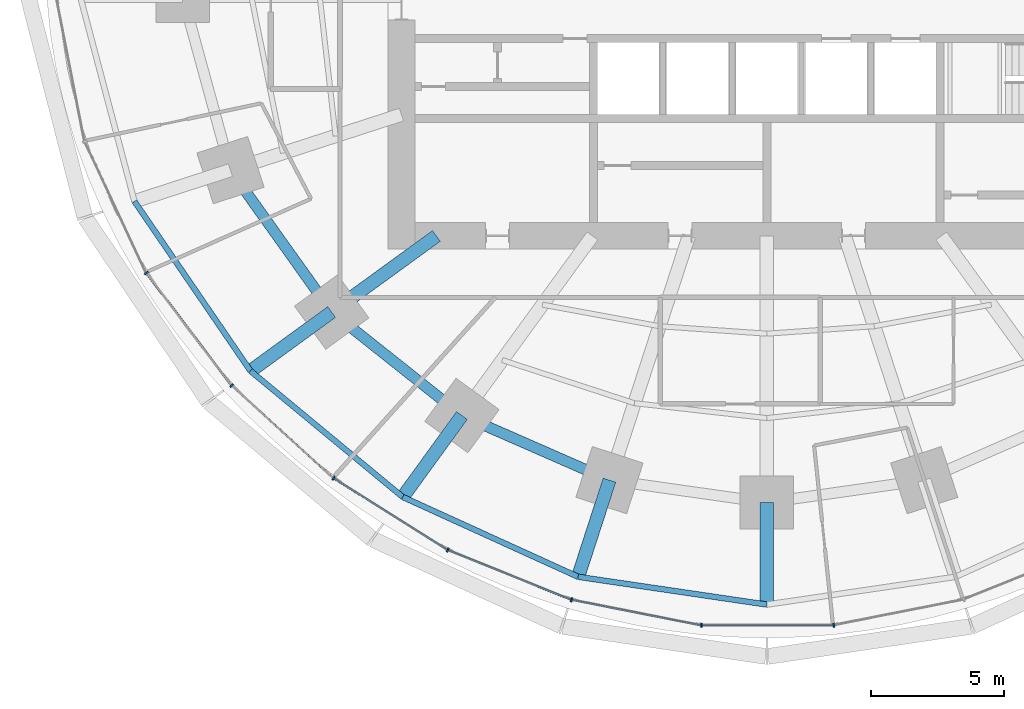
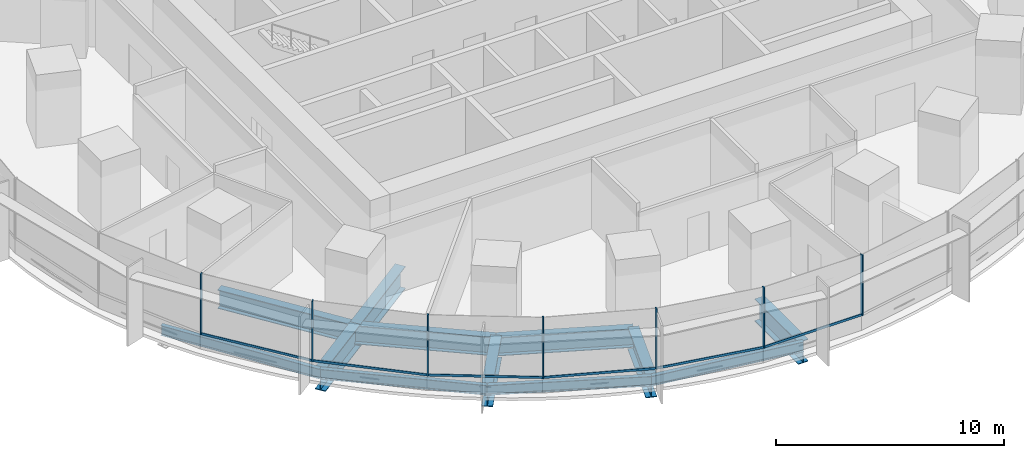
# One storey, part 2 of 15: 13 members, 12 beams, 2 elements without a shape of their own.
"""IFC4 building model written with IfcOpenShell, lengths in metres."""

import ifcopenshell
import ifcopenshell.guid

model = None  # the IFC model being written
_history = None  # IfcOwnerHistory: only IFC2X3 demands one
_inside = {}  # id of a spatial element -> (the spatial element, [elements in it])
_under = {}  # id of a project, library or spatial element -> (it, [spatial elements below it])
_declared = {}  # id of a project -> (the project, [libraries it declares])
_typed = {}  # id of a type object -> (the type object, [elements of that type])
_made_of = {}  # id of a material, layer set ... -> (it, [elements and type objects made of it])


def new_model(schema):
    """Start an empty IFC model of exactly this schema.

    Asked for "IFC4X3", IfcOpenShell would pick the latest addendum, in which some entities
    have other attributes; the version numbers below select the first issue.
    IFC2X3 requires an IfcOwnerHistory on every rooted entity: one is made here for all.
    """
    global model, _history
    if schema == "IFC4X3":
        model = ifcopenshell.file(schema_version=(4, 3, 0, 0))
    else:
        model = ifcopenshell.file(schema=schema)
    _inside.clear()
    _under.clear()
    _declared.clear()
    _typed.clear()
    _made_of.clear()
    _history = None
    if model.schema == "IFC2X3":
        org = make("IfcOrganization", Name="unknown")
        user = make(
            "IfcPersonAndOrganization",
            ThePerson=make("IfcPerson", FamilyName="unknown"),
            TheOrganization=org,
        )
        app = make(
            "IfcApplication",
            ApplicationDeveloper=org,
            Version="unknown",
            ApplicationFullName="unknown",
            ApplicationIdentifier="unknown",
        )
        _history = make(
            "IfcOwnerHistory",
            OwningUser=user,
            OwningApplication=app,
            ChangeAction="ADDED",
            CreationDate=0,
        )
    return model


def make(cls, **values):
    """One entity of the class cls with the attributes given. An attribute that is None is left unset."""
    return model.create_entity(
        cls, **{name: value for name, value in values.items() if value is not None}
    )


def rooted(cls, **values):
    """An entity with a GlobalId (a new one), such as an element, a storey or a relation."""
    return make(cls, GlobalId=ifcopenshell.guid.new(), OwnerHistory=_history, **values)


def si_unit(unit_type, name, prefix=None):
    """IfcSIUnit, for example si_unit("LENGTHUNIT", "METRE", prefix="MILLI")."""
    return make("IfcSIUnit", UnitType=unit_type, Prefix=prefix, Name=name)


def assignment(units):
    """IfcUnitAssignment: the units of a project."""
    return None if units is None else make("IfcUnitAssignment", Units=units)


def point(xyz):
    """IfcCartesianPoint."""
    return None if xyz is None else make("IfcCartesianPoint", Coordinates=xyz)


def direction(xyz):
    """IfcDirection."""
    return None if xyz is None else make("IfcDirection", DirectionRatios=xyz)


def frame(location, z_axis=None, x_axis=None):
    """IfcAxis2Placement3D, a coordinate frame: its origin and axes. An axis left out is left unset."""
    return make(
        "IfcAxis2Placement3D",
        Location=point(location),
        Axis=direction(z_axis),
        RefDirection=direction(x_axis),
    )


def frame_2d(location, x_axis=None):
    """IfcAxis2Placement2D, a coordinate frame in the plane: its origin and x axis."""
    return make(
        "IfcAxis2Placement2D", Location=point(location), RefDirection=direction(x_axis)
    )


def origin():
    """The frame at (0, 0, 0) with its axes left unset."""
    return frame((0.0, 0.0, 0.0))


def origin_2d():
    """The frame at (0, 0) in the plane with its x axis left unset."""
    return frame_2d((0.0, 0.0))


def place(relative_to, where):
    """IfcLocalPlacement: puts the frame where relative to a parent placement (None: the world)."""
    return make(
        "IfcLocalPlacement", PlacementRelTo=relative_to, RelativePlacement=where
    )


def context(
    kind, dimensions, precision=None, world=None, true_north=None, identifier=None
):
    """IfcGeometricRepresentationContext, for example the 3D "Model" context."""
    return make(
        "IfcGeometricRepresentationContext",
        ContextIdentifier=identifier,
        ContextType=kind,
        CoordinateSpaceDimension=dimensions,
        Precision=precision,
        WorldCoordinateSystem=world,
        TrueNorth=true_north,
    )


def subcontext(parent, identifier, kind, view, scale=None):
    """IfcGeometricRepresentationSubContext, for example "Body" below "Model"."""
    return make(
        "IfcGeometricRepresentationSubContext",
        ContextIdentifier=identifier,
        ContextType=kind,
        ParentContext=parent,
        TargetScale=scale,
        TargetView=view,
    )


def project(units=None, contexts=None):
    """IfcProject with its units and contexts."""
    return rooted(
        "IfcProject",
        Name="project",
        RepresentationContexts=contexts,
        UnitsInContext=assignment(units),
    )


def spatial(cls, under=None, at=None, **own):
    """A site, building, storey or space (cls), placed at a placement, below another one or the project."""
    s = rooted(cls, ObjectPlacement=at, **own)
    if under is not None:
        _under.setdefault(under.id(), (under, []))[1].append(s)
    return s


def profile(cls, at=None, kind="AREA", **sizes):
    """A parametric profile (cls). Its sizes go by their IFC names, for example OverallWidth=200.0."""
    return make(cls, ProfileType=kind, Position=at, **sizes)


def rectangle(**sizes):
    """IfcRectangleProfileDef."""
    return profile("IfcRectangleProfileDef", **sizes)


def i_section(**sizes):
    """IfcIShapeProfileDef."""
    return profile("IfcIShapeProfileDef", **sizes)


def extrude(swept, where, along, depth):
    """IfcExtrudedAreaSolid: the profile swept, set in the frame where, extruded along a direction by depth."""
    return make(
        "IfcExtrudedAreaSolid",
        SweptArea=swept,
        Position=where,
        ExtrudedDirection=direction(along),
        Depth=depth,
    )


def shape(context_of_items, identifier, shape_type, items):
    """IfcShapeRepresentation: the items that make up one representation, for example the "Body"."""
    return make(
        "IfcShapeRepresentation",
        ContextOfItems=context_of_items,
        RepresentationIdentifier=identifier,
        RepresentationType=shape_type,
        Items=items,
    )


def material(Name=None, Category=None):
    """IfcMaterial."""
    return make("IfcMaterial", Name=Name, Category=Category)


def material_profile(
    of_material, cross_section, Name=None, Category=None, Priority=None
):
    """IfcMaterialProfile: a cross section and its material."""
    return make(
        "IfcMaterialProfile",
        Name=Name,
        Material=of_material,
        Profile=cross_section,
        Priority=Priority,
        Category=Category,
    )


def profile_set(profiles, Name=None, composite=None):
    """IfcMaterialProfileSet."""
    return make(
        "IfcMaterialProfileSet",
        Name=Name,
        MaterialProfiles=profiles,
        CompositeProfile=composite,
    )


def made_of(thing, what):
    """Note that an element or type object is made of a material, layer set ...; save() writes the relation."""
    if what is not None:
        _made_of.setdefault(what.id(), (what, []))[1].append(thing)
    return thing


def type_object(cls, material=None, **own):
    """A type object (cls), such as IfcWallType, which elements share."""
    return made_of(rooted(cls, **own), material)


def element(
    cls,
    number,
    at=None,
    inside=None,
    cuts=None,
    type_object=None,
    material=None,
    context=None,
    identifier="Body",
    shape_type=None,
    held_by="IfcProductDefinitionShape",
    body=None,
    shapes=None,
    **own,
):
    """One element of the class cls, such as IfcWall. Its Tag is "e" and its number.

    at: its placement. inside: the storey or other place that contains it. cuts: it is an
    opening in that element (IfcRelVoidsElement). A single representation is given by context,
    identifier, shape_type and body (its items); several are given by shapes. held_by: the class
    of the entity that holds the representations. save() writes the other relations.
    """
    e = rooted(cls, Tag="e%d" % number, ObjectPlacement=at, **own)
    if body is not None:
        shapes = [shape(context, identifier, shape_type, body)]
    if shapes is not None:
        e.Representation = make(held_by, Representations=shapes)
    if inside is not None:
        _inside.setdefault(inside.id(), (inside, []))[1].append(e)
    if cuts is not None:
        rooted(
            "IfcRelVoidsElement", RelatingBuildingElement=cuts, RelatedOpeningElement=e
        )
    if type_object is not None:
        _typed.setdefault(type_object.id(), (type_object, []))[1].append(e)
    return made_of(e, material)


def aggregate(whole, parts):
    """IfcRelAggregates: a whole, such as a stair, and the parts it consists of."""
    return rooted("IfcRelAggregates", RelatingObject=whole, RelatedObjects=parts)


def save(model, path):
    """Write the relations noted so far, then the file.

    IfcRelAggregates (storeys below a building ...), IfcRelContainedInSpatialStructure (elements
    in a storey), IfcRelDefinesByType, IfcRelAssociatesMaterial and IfcRelDeclares: one each for
    every whole, place, type object, material and project.
    """
    for whole, parts in _under.values():
        aggregate(whole, parts)
    for where, things in _inside.values():
        rooted(
            "IfcRelContainedInSpatialStructure",
            RelatedElements=things,
            RelatingStructure=where,
        )
    for kind, things in _typed.values():
        rooted("IfcRelDefinesByType", RelatedObjects=things, RelatingType=kind)
    for what, things in _made_of.values():
        rooted("IfcRelAssociatesMaterial", RelatedObjects=things, RelatingMaterial=what)
    for by, libraries in _declared.values():
        rooted("IfcRelDeclares", RelatingContext=by, RelatedDefinitions=libraries)
    model.write(path)


model = new_model("IFC4")

# Units and contexts
model_context = context("Model", 3, precision=1e-05, world=origin(), true_north=direction((0.0, 1.0)))
body_context = subcontext(model_context, "Body", "Model", "MODEL_VIEW")
ifc_project = project(units=[si_unit("LENGTHUNIT", "METRE"), si_unit("AREAUNIT", "SQUARE_METRE"), si_unit("VOLUMEUNIT", "CUBIC_METRE"), si_unit("PLANEANGLEUNIT", "RADIAN"), si_unit("MASSUNIT", "GRAM", prefix="KILO")], contexts=[model_context])

# Site, building, storey
site_placement = place(None, origin())
site = spatial("IfcSite", under=ifc_project, at=site_placement, CompositionType="ELEMENT")
building_placement = place(site_placement, origin())
building = spatial("IfcBuilding", under=site, at=building_placement, Name="Marramba Exchange Tower", CompositionType="ELEMENT")
storey_placement = place(building_placement, frame((0.0, 0.0, 65.800048828125)))
storey = spatial("IfcBuildingStorey", under=building, at=storey_placement, Name="L15", CompositionType="ELEMENT", Elevation=65.800048828125)

# Beams
ifc_material_1 = material(Name="Steel AS/NZS 3679.2 grade 300", Category="steel")
ifc_material_profile_1 = material_profile(ifc_material_1, i_section(OverallWidth=0.5, OverallDepth=1.199951171875, WebThickness=0.01611328125, FlangeThickness=0.0400390625, at=origin_2d()), Name="1200WB455")
ifc_profile_set_1 = profile_set([ifc_material_profile_1], Name="Steel AS/NZS 3679.2 grade 300")
beam_type_1 = type_object("IfcBeamType", Name="Cantilever girder 1200WB455", PredefinedType="BEAM", material=ifc_profile_set_1)
beam_1_placement = place(storey_placement, frame((-16.3154296875, -11.853759765625, -0.760009765625), z_axis=(-0.809008346081, -0.587797155463, 0.0), x_axis=(0.587797155463, -0.809008346081, 0.0)))
element("IfcBeam", 1, at=beam_1_placement, inside=storey, type_object=beam_type_1, Name="Cantilever girder L15 TC13", PredefinedType="BEAM", context=body_context, shape_type="SweptSolid", body=[
    extrude(i_section(OverallWidth=0.5, OverallDepth=1.199951171875, WebThickness=0.01611328125, FlangeThickness=0.0400390625, at=origin_2d()), origin(), (0.0, 0.0, 1.0), 3.76025390625),
])
beam_2_placement = place(storey_placement, frame((-11.430419921875, -15.732666015625, -0.760009765625), z_axis=(-0.587787232741, -0.809015555491, 0.0), x_axis=(0.809015555491, -0.587787232741, 0.0)))
element("IfcBeam", 2, at=beam_2_placement, inside=storey, type_object=beam_type_1, Name="Cantilever girder L15 TC14", PredefinedType="BEAM", context=body_context, shape_type="SweptSolid", body=[
    extrude(i_section(OverallWidth=0.5, OverallDepth=1.199951171875, WebThickness=0.01611328125, FlangeThickness=0.0400390625, at=origin_2d()), origin(), (0.0, 0.0, 1.0), 3.7763671875),
])
beam_3_placement = place(storey_placement, frame((-5.899658203125, -18.156982421875, -0.760009765625), z_axis=(-0.309009272901, -0.951059025119, 0.0), x_axis=(0.951059025119, -0.309009272901, 0.0)))
element("IfcBeam", 3, at=beam_3_placement, inside=storey, type_object=beam_type_1, Name="Cantilever girder L15 TC15", PredefinedType="BEAM", context=body_context, shape_type="SweptSolid", body=[
    extrude(i_section(OverallWidth=0.5, OverallDepth=1.199951171875, WebThickness=0.01611328125, FlangeThickness=0.0400390625, at=origin_2d()), origin(), (0.0, 0.0, 1.0), 3.809814453125),
])
beam_4_placement = place(storey_placement, frame((0.0, -18.99609375, -0.760009765625), z_axis=(0.0, -1.0, 0.0), x_axis=(1.0, 0.0, 0.0)))
element("IfcBeam", 4, at=beam_4_placement, inside=storey, type_object=beam_type_1, Name="Cantilever girder L15 TC16", PredefinedType="BEAM", context=body_context, shape_type="SweptSolid", body=[
    extrude(i_section(OverallWidth=0.5, OverallDepth=1.199951171875, WebThickness=0.01611328125, FlangeThickness=0.0400390625, at=origin_2d()), origin(), (0.0, 0.0, 1.0), 3.825927734375),
])
ifc_material_profile_2 = material_profile(ifc_material_1, i_section(OverallWidth=0.5, OverallDepth=1.199951171875, WebThickness=0.01611328125, FlangeThickness=0.0400390625, at=origin_2d()), Name="1200WB455")
ifc_profile_set_2 = profile_set([ifc_material_profile_2], Name="Steel AS/NZS 3679.2 grade 300")
beam_type_2 = type_object("IfcBeamType", Name="Radial girder 1200WB455", PredefinedType="BEAM", material=ifc_profile_set_2)
beam_5_placement = place(storey_placement, frame((-12.387451171875, -9.0, -0.760009765625), z_axis=(-0.809025189606, -0.58777397236, 0.0), x_axis=(0.58777397236, -0.809025189606, 0.0)))
element("IfcBeam", 5, at=beam_5_placement, inside=storey, type_object=beam_type_2, Name="Radial girder L15 TC13", PredefinedType="BEAM", context=body_context, shape_type="SweptSolid", body=[
    extrude(i_section(OverallWidth=0.5, OverallDepth=1.199951171875, WebThickness=0.01611328125, FlangeThickness=0.0400390625, at=origin_2d()), origin(), (0.0, 0.0, 1.0), 4.855224609375),
])
ifc_material_profile_3 = material_profile(ifc_material_1, i_section(OverallWidth=0.39990234375, OverallDepth=1.0, WebThickness=0.01611328125, FlangeThickness=0.031982421875, at=origin_2d()), Name="1000WB322")
ifc_profile_set_3 = profile_set([ifc_material_profile_3], Name="Steel AS/NZS 3679.2 grade 300")
beam_type_3 = type_object("IfcBeamType", Name="Ring beam 1000WB322", PredefinedType="SPANDREL", material=ifc_profile_set_3)
beam_6_placement = place(storey_placement, frame((-20.109375, -6.533935546875, -0.66015625), z_axis=(0.580637181111, -0.814162430914, 0.0), x_axis=(0.814162430914, 0.580637181111, 0.0)))
element("IfcBeam", 6, at=beam_6_placement, inside=storey, type_object=beam_type_3, Name="Ring beam L15 TC12-TC13", PredefinedType="SPANDREL", context=body_context, shape_type="SweptSolid", body=[
    extrude(i_section(OverallWidth=0.39990234375, OverallDepth=1.0, WebThickness=0.01611328125, FlangeThickness=0.031982421875, at=origin_2d()), origin(), (0.0, 0.0, 1.0), 6.5341796875),
])
beam_7_placement = place(storey_placement, frame((-16.3154296875, -11.853759765625, -0.66015625), z_axis=(0.783139438128, -0.621846138887, 0.0), x_axis=(0.621846138887, 0.783139438128, 0.0)))
element("IfcBeam", 7, at=beam_7_placement, inside=storey, type_object=beam_type_3, Name="Ring beam L15 TC13-TC14", PredefinedType="SPANDREL", context=body_context, shape_type="SweptSolid", body=[
    extrude(i_section(OverallWidth=0.39990234375, OverallDepth=1.0, WebThickness=0.01611328125, FlangeThickness=0.031982421875, at=origin_2d()), origin(), (0.0, 0.0, 1.0), 6.23779296875),
])
beam_8_placement = place(storey_placement, frame((-11.430419921875, -15.732666015625, -0.66015625), z_axis=(0.915876892158, -0.4014592363, 0.0), x_axis=(0.4014592363, 0.915876892158, 0.0)))
element("IfcBeam", 8, at=beam_8_placement, inside=storey, type_object=beam_type_3, Name="Ring beam L15 TC14-TC15", PredefinedType="SPANDREL", context=body_context, shape_type="SweptSolid", body=[
    extrude(i_section(OverallWidth=0.39990234375, OverallDepth=1.0, WebThickness=0.01611328125, FlangeThickness=0.031982421875, at=origin_2d()), origin(), (0.0, 0.0, 1.0), 6.038818359375),
])
ifc_material_2 = material(Name="Steel AS/NZS 3679.1 grade 300", Category="steel")
ifc_material_profile_4 = material_profile(ifc_material_2, i_section(OverallWidth=0.208984375, OverallDepth=0.528076171875, WebThickness=0.009521484375, FlangeThickness=0.01318359375, FilletRadius=0.013916015625, at=origin_2d()), Name="530UB82.0")
ifc_profile_set_4 = profile_set([ifc_material_profile_4], Name="Steel AS/NZS 3679.1 grade 300")
beam_type_4 = type_object("IfcBeamType", Name="Slab edge beam 530UB82.0", PredefinedType="SPANDREL", material=ifc_profile_set_4)
beam_9_placement = place(storey_placement, frame((-23.709716796875, -7.703857421875, -0.424072265625), z_axis=(0.564740697285, -0.82526840775, 0.0), x_axis=(0.82526840775, 0.564740697285, 0.0)))
element("IfcBeam", 9, at=beam_9_placement, inside=storey, type_object=beam_type_4, Name="Slab edge beam L15 TC12-TC13", PredefinedType="SPANDREL", context=body_context, shape_type="SweptSolid", body=[
    extrude(i_section(OverallWidth=0.208984375, OverallDepth=0.528076171875, WebThickness=0.009521484375, FlangeThickness=0.01318359375, FilletRadius=0.013916015625, at=origin_2d()), origin(), (0.0, 0.0, 1.0), 7.706787109375),
])
beam_10_placement = place(storey_placement, frame((-19.357421875, -14.06396484375, -0.424072265625), z_axis=(0.770353575372, -0.637616945283, 0.0), x_axis=(0.637616945283, 0.770353575372, 0.0)))
element("IfcBeam", 10, at=beam_10_placement, inside=storey, type_object=beam_type_4, Name="Slab edge beam L15 TC13-TC14", PredefinedType="SPANDREL", context=body_context, shape_type="SweptSolid", body=[
    extrude(i_section(OverallWidth=0.208984375, OverallDepth=0.528076171875, WebThickness=0.009521484375, FlangeThickness=0.01318359375, FilletRadius=0.013916015625, at=origin_2d()), origin(), (0.0, 0.0, 1.0), 7.40869140625),
])
beam_11_placement = place(storey_placement, frame((-13.650146484375, -18.787841796875, -0.424072265625), z_axis=(0.910126690081, -0.414330071324, 0.0), x_axis=(0.414330071324, 0.910126690081, 0.0)))
element("IfcBeam", 11, at=beam_11_placement, inside=storey, type_object=beam_type_4, Name="Slab edge beam L15 TC14-TC15", PredefinedType="SPANDREL", context=body_context, shape_type="SweptSolid", body=[
    extrude(i_section(OverallWidth=0.208984375, OverallDepth=0.528076171875, WebThickness=0.009521484375, FlangeThickness=0.01318359375, FilletRadius=0.013916015625, at=origin_2d()), origin(), (0.0, 0.0, 1.0), 7.222412109375),
])
beam_12_placement = place(storey_placement, frame((-7.076904296875, -21.7802734375, -0.424072265625), z_axis=(0.989338462178, -0.145634498848, 0.0), x_axis=(0.145634498848, 0.989338462178, 0.0)))
element("IfcBeam", 12, at=beam_12_placement, inside=storey, type_object=beam_type_4, Name="Slab edge beam L15 TC15-TC16", PredefinedType="SPANDREL", context=body_context, shape_type="SweptSolid", body=[
    extrude(i_section(OverallWidth=0.208984375, OverallDepth=0.528076171875, WebThickness=0.009521484375, FlangeThickness=0.01318359375, FilletRadius=0.013916015625, at=origin_2d()), origin(), (0.0, 0.0, 1.0), 7.153076171875),
])

# Curtain wall, members
ifc_material_3 = material(Name="Aluminium framing, bronze anodised", Category="aluminium")
curtain_wall_type = type_object("IfcCurtainWallType", Name="Trading floor ribbon curtain wall", PredefinedType="USERDEFINED", material=ifc_material_3)
curtain_wall_1_placement = place(storey_placement, origin())
curtain_wall_1 = element("IfcCurtainWall", 13, at=curtain_wall_1_placement, inside=storey, type_object=curtain_wall_type, Name="Curtain wall CW3 L15 F16-F20", ObjectType="RIBBON CURTAIN WALL", PredefinedType="USERDEFINED")
ifc_material_4 = material(Name="Aluminium mullion, bronze anodised", Category="aluminium")
ifc_material_profile_5 = material_profile(ifc_material_4, rectangle(XDim=0.159912109375, YDim=0.06005859375, at=origin_2d()), Name="CW3 mullion 60x160")
ifc_profile_set_5 = profile_set([ifc_material_profile_5], Name="Aluminium mullion, bronze anodised")
member_type_1 = type_object("IfcMemberType", Name="Trading floor ribbon curtain wall mullion", PredefinedType="MULLION", material=ifc_profile_set_5)
member_1_placement = place(storey_placement, frame((-23.26318359375, -10.389404296875, 0.800048828125), z_axis=(0.0, 0.0, 1.0), x_axis=(0.797710591138, 0.603040473588, 0.0)))
member_1 = element("IfcMember", 14, at=member_1_placement, type_object=member_type_1, Name="CW3 mullion 1", PredefinedType="MULLION", context=body_context, shape_type="SweptSolid", body=[
    extrude(rectangle(XDim=0.159912109375, YDim=0.06005859375, at=origin_2d()), origin(), (0.0, 0.0, 1.0), 3.239990234375),
])
member_2_placement = place(storey_placement, frame((-20.063232421875, -14.61328125, 0.800048828125), z_axis=(0.0, 0.0, 1.0), x_axis=(0.673058133441, 0.739589581463, 0.0)))
member_2 = element("IfcMember", 15, at=member_2_placement, type_object=member_type_1, Name="CW3 mullion 1", PredefinedType="MULLION", context=body_context, shape_type="SweptSolid", body=[
    extrude(rectangle(XDim=0.159912109375, YDim=0.06005859375, at=origin_2d()), origin(), (0.0, 0.0, 1.0), 3.239990234375),
])
member_3_placement = place(storey_placement, frame((-16.242431640625, -18.083251953125, 0.800048828125), z_axis=(0.0, 0.0, 1.0), x_axis=(0.533514646612, 0.845790826298, 0.0)))
member_3 = element("IfcMember", 16, at=member_3_placement, type_object=member_type_1, Name="CW3 mullion 1", PredefinedType="MULLION", context=body_context, shape_type="SweptSolid", body=[
    extrude(rectangle(XDim=0.159912109375, YDim=0.06005859375, at=origin_2d()), origin(), (0.0, 0.0, 1.0), 3.239990234375),
])

curtain_wall_2_placement = place(storey_placement, origin())
curtain_wall_2 = element("IfcCurtainWall", 17, at=curtain_wall_2_placement, inside=storey, type_object=curtain_wall_type, Name="Curtain wall CW3 L15 F21-F25", ObjectType="RIBBON CURTAIN WALL", PredefinedType="USERDEFINED")
member_4_placement = place(storey_placement, frame((-11.96142578125, -20.77734375, 0.800048828125), z_axis=(0.0, 0.0, 1.0), x_axis=(0.374218219325, 0.927340673283, 0.0)))
member_4 = element("IfcMember", 18, at=member_4_placement, type_object=member_type_1, Name="CW3 mullion 1", PredefinedType="MULLION", context=body_context, shape_type="SweptSolid", body=[
    extrude(rectangle(XDim=0.159912109375, YDim=0.06005859375, at=origin_2d()), origin(), (0.0, 0.0, 1.0), 3.239990234375),
])
member_5_placement = place(storey_placement, frame((-7.325439453125, -22.64208984375, 0.800048828125), z_axis=(0.0, 0.0, 1.0), x_axis=(0.193961202977, 0.98100920064, 0.0)))
member_5 = element("IfcMember", 19, at=member_5_placement, type_object=member_type_1, Name="CW3 mullion 1", PredefinedType="MULLION", context=body_context, shape_type="SweptSolid", body=[
    extrude(rectangle(XDim=0.159912109375, YDim=0.06005859375, at=origin_2d()), origin(), (0.0, 0.0, 1.0), 3.239990234375),
])
member_6_placement = place(storey_placement, frame((-2.450439453125, -23.599853515625, 0.800048828125), z_axis=(0.0, 0.0, 1.0), x_axis=(0.0, 1.0, 0.0)))
member_6 = element("IfcMember", 20, at=member_6_placement, type_object=member_type_1, Name="CW3 mullion 1", PredefinedType="MULLION", context=body_context, shape_type="SweptSolid", body=[
    extrude(rectangle(XDim=0.159912109375, YDim=0.06005859375, at=origin_2d()), origin(), (0.0, 0.0, 1.0), 3.239990234375),
])
member_7_placement = place(storey_placement, frame((2.509765625, -23.59423828125, 0.800048828125), z_axis=(0.0, 0.0, 1.0), x_axis=(-0.193961202977, 0.98100920064, 0.0)))
member_7 = element("IfcMember", 21, at=member_7_placement, type_object=member_type_1, Name="CW3 mullion 1", PredefinedType="MULLION", context=body_context, shape_type="SweptSolid", body=[
    extrude(rectangle(XDim=0.159912109375, YDim=0.06005859375, at=origin_2d()), origin(), (0.0, 0.0, 1.0), 3.239990234375),
])

# Member
ifc_material_5 = material(Name="Aluminium transom, bronze anodised", Category="aluminium")
ifc_material_profile_6 = material_profile(ifc_material_5, rectangle(XDim=0.06005859375, YDim=0.1201171875, at=origin_2d()), Name="CW3 transom 60x120")
ifc_profile_set_6 = profile_set([ifc_material_profile_6], Name="Aluminium transom, bronze anodised")
member_type_2 = type_object("IfcMemberType", Name="Trading floor ribbon curtain wall transom", PredefinedType="USERDEFINED", material=ifc_profile_set_6)
member_8_placement = place(storey_placement, frame((-23.2451171875, -10.413330078125, 0.829833984375), z_axis=(0.603037409419, -0.797712907531, 0.0), x_axis=(0.797712907531, 0.603037409419, 0.0)))
member_8 = element("IfcMember", 22, at=member_8_placement, type_object=member_type_2, Name="CW3 sill transom", ObjectType="TRANSOM", PredefinedType="USERDEFINED", context=body_context, shape_type="SweptSolid", body=[
    extrude(rectangle(XDim=0.06005859375, YDim=0.1201171875, at=origin_2d()), origin(), (0.0, 0.0, 1.0), 5.239501953125),
])

member_9_placement = place(storey_placement, frame((-20.041015625, -14.63330078125, 0.829833984375), z_axis=(0.739582688456, -0.673065707741, 0.0), x_axis=(0.673065707741, 0.739582688456, 0.0)))
member_9 = element("IfcMember", 23, at=member_9_placement, type_object=member_type_2, Name="CW3 sill transom", ObjectType="TRANSOM", PredefinedType="USERDEFINED", context=body_context, shape_type="SweptSolid", body=[
    extrude(rectangle(XDim=0.06005859375, YDim=0.1201171875, at=origin_2d()), origin(), (0.0, 0.0, 1.0), 5.101806640625),
])

member_10_placement = place(storey_placement, frame((-16.217041015625, -18.09912109375, 0.829833984375), z_axis=(0.845776602594, -0.533537195053, 0.0), x_axis=(0.533537195053, 0.845776602594, 0.0)))
member_10 = element("IfcMember", 24, at=member_10_placement, type_object=member_type_2, Name="CW3 sill transom", ObjectType="TRANSOM", PredefinedType="USERDEFINED", context=body_context, shape_type="SweptSolid", body=[
    extrude(rectangle(XDim=0.06005859375, YDim=0.1201171875, at=origin_2d()), origin(), (0.0, 0.0, 1.0), 4.998779296875),
])

aggregate(curtain_wall_1, [member_1, member_8, member_2, member_9, member_3, member_10])

member_11_placement = place(storey_placement, frame((-11.93359375, -20.78857421875, 0.829833984375), z_axis=(0.927340197166, -0.374219399176, 0.0), x_axis=(0.374219399176, 0.927340197166, 0.0)))
member_11 = element("IfcMember", 25, at=member_11_placement, type_object=member_type_2, Name="CW3 sill transom", ObjectType="TRANSOM", PredefinedType="USERDEFINED", context=body_context, shape_type="SweptSolid", body=[
    extrude(rectangle(XDim=0.06005859375, YDim=0.1201171875, at=origin_2d()), origin(), (0.0, 0.0, 1.0), 4.937255859375),
])

member_12_placement = place(storey_placement, frame((-7.296142578125, -22.64794921875, 0.829833984375), z_axis=(0.981018169547, -0.193915834883, 0.0), x_axis=(0.193915834883, 0.981018169547, 0.0)))
member_12 = element("IfcMember", 26, at=member_12_placement, type_object=member_type_2, Name="CW3 sill transom", ObjectType="TRANSOM", PredefinedType="USERDEFINED", context=body_context, shape_type="SweptSolid", body=[
    extrude(rectangle(XDim=0.06005859375, YDim=0.1201171875, at=origin_2d()), origin(), (0.0, 0.0, 1.0), 4.908935546875),
])

member_13_placement = place(storey_placement, frame((-2.42041015625, -23.599853515625, 0.829833984375), z_axis=(1.0, 0.0, 0.0), x_axis=(0.0, 1.0, 0.0)))
member_13 = element("IfcMember", 27, at=member_13_placement, type_object=member_type_2, Name="CW3 sill transom", ObjectType="TRANSOM", PredefinedType="USERDEFINED", context=body_context, shape_type="SweptSolid", body=[
    extrude(rectangle(XDim=0.06005859375, YDim=0.1201171875, at=origin_2d()), origin(), (0.0, 0.0, 1.0), 4.90087890625),
])

aggregate(curtain_wall_2, [member_4, member_11, member_5, member_12, member_6, member_13, member_7])

save(model, "model.ifc")
